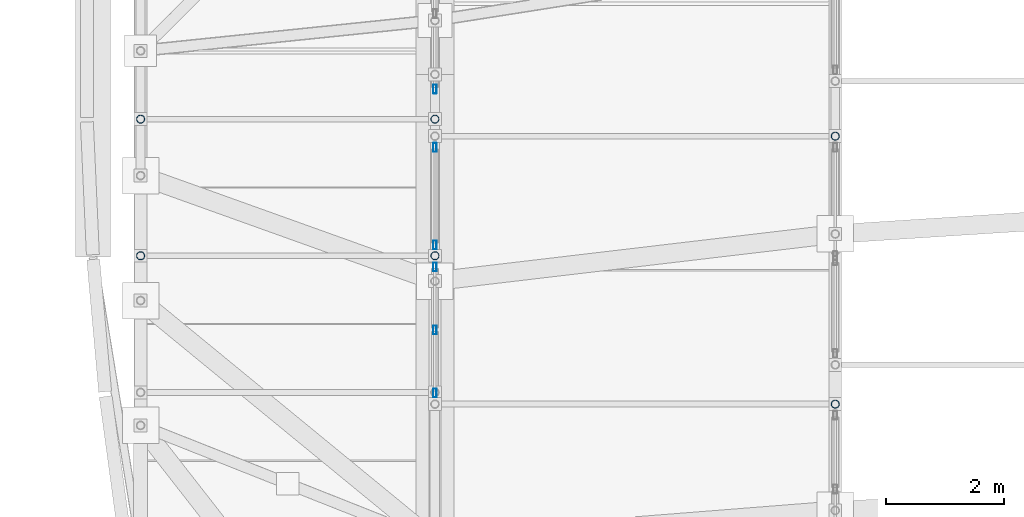
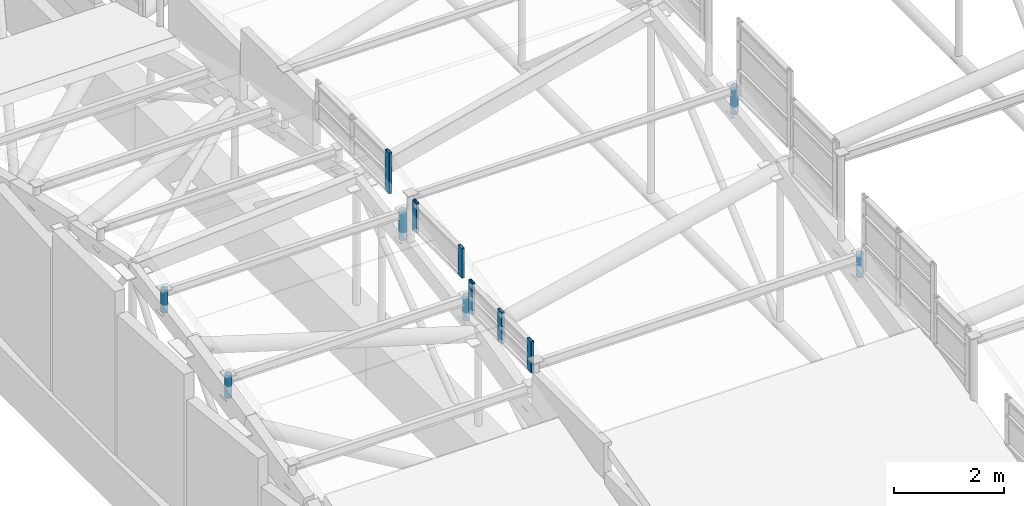
# One storey, part 140 of 188: 12 members, 3 elements without a shape of their own.
"""IFC4 building model written with IfcOpenShell, lengths in metres."""

from ifc_helpers import new_model, si_unit, direction, frame, origin, origin_2d, place, context, subcontext, project, spatial, hollow_rectangle, hollow_circle, extrude, material, layer, layer_set, material_profile, profile_set, type_object, element, aggregate, save


model = new_model("IFC4")

# Units and contexts
model_context = context("Model", 3, precision=1e-05, world=origin(), true_north=direction((0.0, 1.0)))
body_context = subcontext(model_context, "Body", "Model", "MODEL_VIEW")
ifc_project = project(units=[si_unit("LENGTHUNIT", "METRE"), si_unit("AREAUNIT", "SQUARE_METRE"), si_unit("VOLUMEUNIT", "CUBIC_METRE"), si_unit("PLANEANGLEUNIT", "RADIAN"), si_unit("MASSUNIT", "GRAM", prefix="KILO")], contexts=[model_context])

# Site, building, storey
site_placement = place(None, origin())
site = spatial("IfcSite", under=ifc_project, at=site_placement, CompositionType="ELEMENT")
building_placement = place(site_placement, origin())
building = spatial("IfcBuilding", under=site, at=building_placement, Name="Kisaragi Civic Commons", CompositionType="ELEMENT")
storey_placement = place(building_placement, frame((0.0, 0.0, 9.60009765625)))
storey = spatial("IfcBuildingStorey", under=building, at=storey_placement, Name="L02", CompositionType="ELEMENT", Elevation=9.60009765625)

# Curtain wall, members
ifc_material_1 = material(Name="Thermally broken anodized aluminium and low-E double glazing", Category="aluminium")
ifc_layer = layer(ifc_material_1, 0.14990234375, Name="Thermally broken anodized aluminium and low-E double glazing", Category="aluminium")
ifc_layer_set = layer_set([ifc_layer], Name="Thermally broken anodized aluminium and low-E double glazing")
curtain_wall_type = type_object("IfcCurtainWallType", Name="CW-03", PredefinedType="NOTDEFINED", material=ifc_layer_set)
curtain_wall_1_placement = place(storey_placement, origin())
curtain_wall_1 = element("IfcCurtainWall", 1, at=curtain_wall_1_placement, inside=storey, type_object=curtain_wall_type, Name="L02 curtain wall CW-03 CW-CL-V2-175", PredefinedType="NOTDEFINED")
ifc_material_profile_1 = material_profile(ifc_material_1, hollow_rectangle(XDim=0.06005859375, YDim=0.14990234375, WallThickness=0.00390625, InnerFilletRadius=0.00390625, OuterFilletRadius=0.008056640625, at=origin_2d()), Name="CWM-60x150x4", Category="aluminium")
ifc_profile_set_1 = profile_set([ifc_material_profile_1], Name="Thermally broken anodized aluminium and low-E double glazing")
member_type_1 = type_object("IfcMemberType", Name="CWM-01", PredefinedType="MULLION", material=ifc_profile_set_1)
member_1_placement = place(storey_placement, frame((6.800048828125, 90.58837890625, 2.28564453125), z_axis=(0.0, 0.0, 1.0), x_axis=(-1.0, 0.0, 0.0)))
member_1 = element("IfcMember", 2, at=member_1_placement, type_object=member_type_1, Name="CW-03 mullion 1", PredefinedType="MULLION", context=body_context, shape_type="SweptSolid", body=[
    extrude(hollow_rectangle(XDim=0.06005859375, YDim=0.14990234375, WallThickness=0.00390625, InnerFilletRadius=0.00390625, OuterFilletRadius=0.008056640625, at=origin_2d()), origin(), (0.0, 0.0, 1.0), 0.700439453125),
])
member_2_placement = place(storey_placement, frame((6.800048828125, 91.658447265625, 2.28564453125), z_axis=(0.0, 0.0, 1.0), x_axis=(-1.0, 0.0, 0.0)))
member_2 = element("IfcMember", 3, at=member_2_placement, type_object=member_type_1, Name="CW-03 mullion 2", PredefinedType="MULLION", context=body_context, shape_type="SweptSolid", body=[
    extrude(hollow_rectangle(XDim=0.06005859375, YDim=0.14990234375, WallThickness=0.00390625, InnerFilletRadius=0.00390625, OuterFilletRadius=0.008056640625, at=origin_2d()), origin(), (0.0, 0.0, 1.0), 0.700439453125),
])
member_3_placement = place(storey_placement, frame((6.800048828125, 92.728515625, 2.28564453125), z_axis=(0.0, 0.0, 1.0), x_axis=(-1.0, 0.0, 0.0)))
member_3 = element("IfcMember", 4, at=member_3_placement, type_object=member_type_1, Name="CW-03 mullion 3", PredefinedType="MULLION", context=body_context, shape_type="SweptSolid", body=[
    extrude(hollow_rectangle(XDim=0.06005859375, YDim=0.14990234375, WallThickness=0.00390625, InnerFilletRadius=0.00390625, OuterFilletRadius=0.008056640625, at=origin_2d()), origin(), (0.0, 0.0, 1.0), 0.700439453125),
])
aggregate(curtain_wall_1, [member_1, member_2, member_3])

curtain_wall_2_placement = place(storey_placement, origin())
curtain_wall_2 = element("IfcCurtainWall", 5, at=curtain_wall_2_placement, inside=storey, type_object=curtain_wall_type, Name="L02 curtain wall CW-03 CW-CL-V2-176", PredefinedType="NOTDEFINED")
member_4_placement = place(storey_placement, frame((6.800048828125, 93.10302734375, 2.864501953125), z_axis=(0.0, 0.0, 1.0), x_axis=(-1.0, 0.0, 0.0)))
member_4 = element("IfcMember", 6, at=member_4_placement, type_object=member_type_1, Name="CW-03 mullion 1", PredefinedType="MULLION", context=body_context, shape_type="SweptSolid", body=[
    extrude(hollow_rectangle(XDim=0.06005859375, YDim=0.14990234375, WallThickness=0.00390625, InnerFilletRadius=0.00390625, OuterFilletRadius=0.008056640625, at=origin_2d()), origin(), (0.0, 0.0, 1.0), 0.66162109375),
])
member_5_placement = place(storey_placement, frame((6.800048828125, 94.759765625, 2.864501953125), z_axis=(0.0, 0.0, 1.0), x_axis=(-1.0, 0.0, 0.0)))
member_5 = element("IfcMember", 7, at=member_5_placement, type_object=member_type_1, Name="CW-03 mullion 2", PredefinedType="MULLION", context=body_context, shape_type="SweptSolid", body=[
    extrude(hollow_rectangle(XDim=0.06005859375, YDim=0.14990234375, WallThickness=0.00390625, InnerFilletRadius=0.00390625, OuterFilletRadius=0.008056640625, at=origin_2d()), origin(), (0.0, 0.0, 1.0), 0.66162109375),
])
aggregate(curtain_wall_2, [member_4, member_5])

# Curtain wall, member
curtain_wall_3_placement = place(storey_placement, origin())
curtain_wall_3 = element("IfcCurtainWall", 8, at=curtain_wall_3_placement, inside=storey, type_object=curtain_wall_type, Name="L02 curtain wall CW-03 CW-CL-V2-177", PredefinedType="NOTDEFINED")
member_6_placement = place(storey_placement, frame((6.800048828125, 95.74951171875, 3.1337890625), z_axis=(0.0, 0.0, 1.0), x_axis=(-1.0, 0.0, 0.0)))
member_6 = element("IfcMember", 9, at=member_6_placement, type_object=member_type_1, Name="CW-03 mullion 1", PredefinedType="MULLION", context=body_context, shape_type="SweptSolid", body=[
    extrude(hollow_rectangle(XDim=0.06005859375, YDim=0.14990234375, WallThickness=0.00390625, InnerFilletRadius=0.00390625, OuterFilletRadius=0.008056640625, at=origin_2d()), origin(), (0.0, 0.0, 1.0), 0.90673828125),
])
aggregate(curtain_wall_3, [member_6])

# Members
ifc_material_2 = material(Name="Steel SN490 (SN490B)", Category="steel")
ifc_material_profile_2 = material_profile(ifc_material_2, hollow_circle(Radius=0.06982421875, WallThickness=0.006103515625, at=origin_2d()), Name="CHS-139.8x6.0", Category="steel")
ifc_profile_set_2 = profile_set([ifc_material_profile_2], Name="Steel SN490 (SN490B)")
member_type_2 = type_object("IfcMemberType", Name="ST-H1", PredefinedType="STRUT", material=ifc_profile_set_2)
member_7_placement = place(storey_placement, frame((1.800048828125, 92.918701171875, 2.054443359375), z_axis=(0.0, 0.0, 1.0), x_axis=(1.0, 0.0, 0.0)))
element("IfcMember", 10, at=member_7_placement, inside=storey, type_object=member_type_2, Name="V2 clerestory monitor horizontal tie strut 1.0.3", PredefinedType="STRUT", context=body_context, shape_type="SweptSolid", body=[
    extrude(hollow_circle(Radius=0.06982421875, WallThickness=0.006103515625, at=origin_2d()), origin(), (0.0, 0.0, 1.0), 0.513671875),
])
member_8_placement = place(storey_placement, frame((6.800048828125, 92.918701171875, 2.028076171875), z_axis=(0.0, 0.0, 1.0), x_axis=(1.0, 0.0, 0.0)))
element("IfcMember", 11, at=member_8_placement, inside=storey, type_object=member_type_2, Name="V2 clerestory monitor horizontal tie strut 1.1.3", PredefinedType="STRUT", context=body_context, shape_type="SweptSolid", body=[
    extrude(hollow_circle(Radius=0.06982421875, WallThickness=0.006103515625, at=origin_2d()), origin(), (0.0, 0.0, 1.0), 0.5400390625),
])
member_9_placement = place(storey_placement, frame((1.800048828125, 95.239501953125, 2.5439453125), z_axis=(0.0, 0.0, 1.0), x_axis=(1.0, 0.0, 0.0)))
element("IfcMember", 12, at=member_9_placement, inside=storey, type_object=member_type_2, Name="V2 clerestory monitor horizontal tie strut 1.0.4", PredefinedType="STRUT", context=body_context, shape_type="SweptSolid", body=[
    extrude(hollow_circle(Radius=0.06982421875, WallThickness=0.006103515625, at=origin_2d()), origin(), (0.0, 0.0, 1.0), 0.510498046875),
])
member_10_placement = place(storey_placement, frame((6.800048828125, 95.239501953125, 2.4013671875), z_axis=(0.0, 0.0, 1.0), x_axis=(1.0, 0.0, 0.0)))
element("IfcMember", 13, at=member_10_placement, inside=storey, type_object=member_type_2, Name="V2 clerestory monitor horizontal tie strut 1.1.4", PredefinedType="STRUT", context=body_context, shape_type="SweptSolid", body=[
    extrude(hollow_circle(Radius=0.06982421875, WallThickness=0.006103515625, at=origin_2d()), origin(), (0.0, 0.0, 1.0), 0.653076171875),
])
member_11_placement = place(storey_placement, frame((13.60009765625, 90.3984375, 2.13232421875), z_axis=(0.0, 0.0, 1.0), x_axis=(1.0, 0.0, 0.0)))
element("IfcMember", 14, at=member_11_placement, inside=storey, type_object=member_type_2, Name="V2 clerestory monitor horizontal tie strut 2.2.3", PredefinedType="STRUT", context=body_context, shape_type="SweptSolid", body=[
    extrude(hollow_circle(Radius=0.06982421875, WallThickness=0.006103515625, at=origin_2d()), origin(), (0.0, 0.0, 1.0), 0.51708984375),
])
member_12_placement = place(storey_placement, frame((13.60009765625, 94.94970703125, 2.986328125), z_axis=(0.0, 0.0, 1.0), x_axis=(1.0, 0.0, 0.0)))
element("IfcMember", 15, at=member_12_placement, inside=storey, type_object=member_type_2, Name="V2 clerestory monitor horizontal tie strut 2.2.4", PredefinedType="STRUT", context=body_context, shape_type="SweptSolid", body=[
    extrude(hollow_circle(Radius=0.06982421875, WallThickness=0.006103515625, at=origin_2d()), origin(), (0.0, 0.0, 1.0), 0.613525390625),
])

save(model, "model.ifc")
